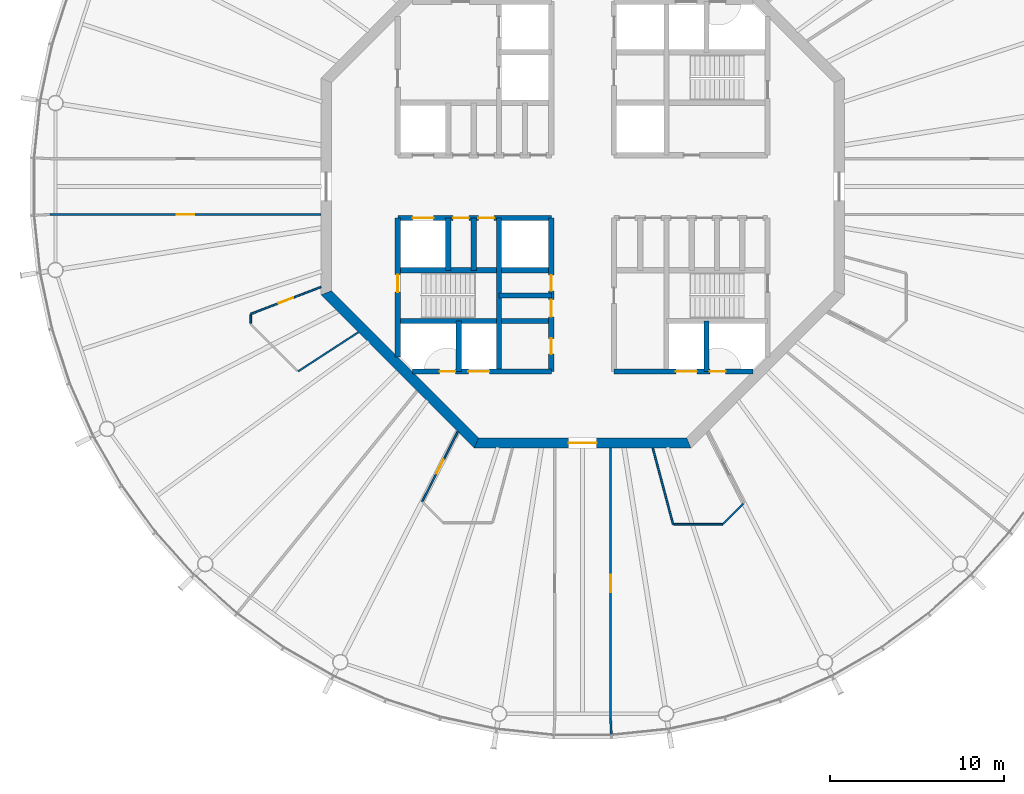
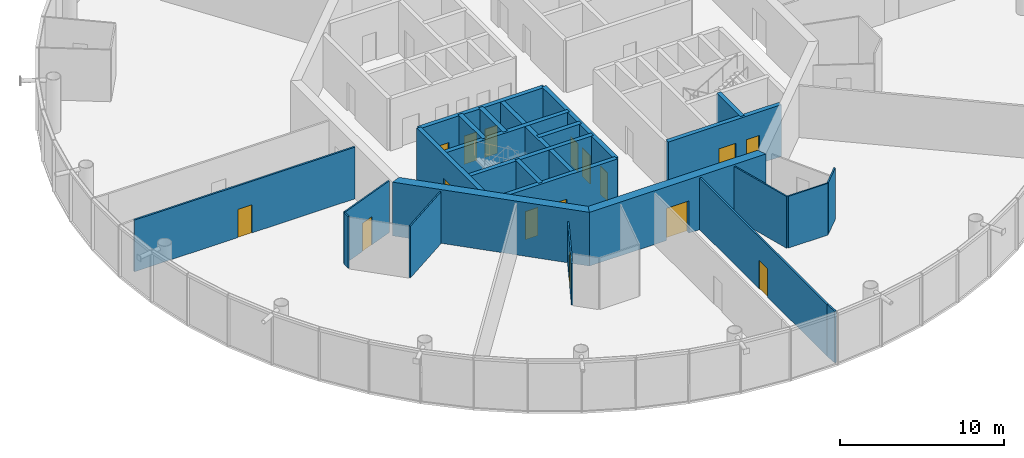
# One storey, part 3 of 19: 25 walls, 16 doors, 16 openings.
"""IFC4 building model written with IfcOpenShell, lengths in metres."""

from ifc_helpers import new_model, si_unit, direction, frame, frame_2d, origin, place, context, subcontext, project, spatial, polyline, rectangle, outline, extrude, material, layer, layer_set, type_object, element, fill, save


model = new_model("IFC4")

# Units and contexts
model_context = context("Model", 3, precision=1e-05, world=origin(), true_north=direction((0.0, 1.0)))
body_context = subcontext(model_context, "Body", "Model", "MODEL_VIEW")
ifc_project = project(units=[si_unit("LENGTHUNIT", "METRE"), si_unit("AREAUNIT", "SQUARE_METRE"), si_unit("VOLUMEUNIT", "CUBIC_METRE"), si_unit("PLANEANGLEUNIT", "RADIAN"), si_unit("MASSUNIT", "GRAM", prefix="KILO")], contexts=[model_context])

# Site, building, storey
site_placement = place(None, origin())
site = spatial("IfcSite", under=ifc_project, at=site_placement, CompositionType="ELEMENT")
building_placement = place(site_placement, origin())
building = spatial("IfcBuilding", under=site, at=building_placement, Name="Entoto Ring Tower", CompositionType="ELEMENT")
storey_placement = place(building_placement, frame((0.0, 0.0, 368.0)))
storey = spatial("IfcBuildingStorey", under=building, at=storey_placement, Name="L85", CompositionType="ELEMENT", Elevation=368.0)

# Wall
ifc_material_1 = material(Name="Concrete C40/50", Category="concrete")
ifc_layer_1 = layer(ifc_material_1, 0.300048828125)
ifc_layer_set_1 = layer_set([ifc_layer_1], Name="Concrete C40/50")
wall_type_1 = type_object("IfcWallType", Name="Core enclosure wall 300 mm reinforced concrete", PredefinedType="SOLIDWALL", material=ifc_layer_set_1)
wall_1_placement = place(storey_placement, frame((97.10009765625, 69.39990234375, 0.0), z_axis=(0.0, 0.0, 1.0), x_axis=(0.0, 1.0, 0.0)))
element("IfcWall", 1, at=wall_1_placement, inside=storey, type_object=wall_type_1, Name="wall-L85-005", PredefinedType="SOLIDWALL", context=body_context, shape_type="SweptSolid", body=[
    extrude(rectangle(XDim=2.900146484375, YDim=0.300048828125, at=frame_2d((1.4501953125, 0.0))), origin(), (0.0, 0.0, 1.0), 3.85009765625),
])

# Wall, openings, doors
wall_2_placement = place(storey_placement, frame((88.199951171875, 69.39990234375, 0.0), z_axis=(0.0, 0.0, 1.0), x_axis=(0.0, 1.0, 0.0)))
wall_2 = element("IfcWall", 2, at=wall_2_placement, inside=storey, type_object=wall_type_1, Name="wall-L85-013", PredefinedType="SOLIDWALL", context=body_context, shape_type="SweptSolid", body=[
    extrude(rectangle(XDim=8.800048828125, YDim=0.300048828125, at=frame_2d((4.39990234375, 0.0))), origin(), (0.0, 0.0, 1.0), 3.85009765625),
])
opening_1_placement = place(wall_2_placement, frame((3.125, 0.0, 0.0)))
opening_1 = element("IfcOpeningElement", 3, at=opening_1_placement, cuts=wall_2, Name="Opening K-70", PredefinedType="OPENING", context=body_context, shape_type="SweptSolid", body=[
    extrude(rectangle(XDim=1.0, YDim=2.10009765625, at=frame_2d((0.5, 1.050048828125))), frame((0.0, 0.16015625, 0.0), z_axis=(0.0, -1.0, 0.0), x_axis=(1.0, 0.0, 0.0)), (0.0, 0.0, 1.0), 0.320068359375),
])
opening_2_placement = place(wall_2_placement, frame((4.625, 0.0, 0.0)))
opening_2 = element("IfcOpeningElement", 4, at=opening_2_placement, cuts=wall_2, Name="Opening K-71", PredefinedType="OPENING", context=body_context, shape_type="SweptSolid", body=[
    extrude(rectangle(XDim=0.89990234375, YDim=2.10009765625, at=frame_2d((0.449951171875, 1.050048828125))), frame((0.0, 0.16015625, 0.0), z_axis=(0.0, -1.0, 0.0), x_axis=(1.0, 0.0, 0.0)), (0.0, 0.0, 1.0), 0.320068359375),
])
opening_3_placement = place(wall_2_placement, frame((1.0, 0.0, 0.0)))
opening_3 = element("IfcOpeningElement", 5, at=opening_3_placement, cuts=wall_2, Name="Opening K-24", PredefinedType="OPENING", context=body_context, shape_type="SweptSolid", body=[
    extrude(rectangle(XDim=0.89990234375, YDim=2.10009765625, at=frame_2d((0.449951171875, 1.050048828125))), frame((0.0, 0.16015625, 0.0), z_axis=(0.0, -1.0, 0.0), x_axis=(1.0, 0.0, 0.0)), (0.0, 0.0, 1.0), 0.320068359375),
])
ifc_material_2 = material(Name="Steel door leaf, fire rated", Category="steel")
ifc_layer_2 = layer(ifc_material_2, 0.050048828125)
ifc_layer_set_2 = layer_set([ifc_layer_2], Name="Steel door leaf, fire rated")
door_type_1 = type_object("IfcDoorType", Name="Accessible door 1000 x 2100 single leaf", OperationType="NOTDEFINED", PredefinedType="DOOR", material=ifc_layer_set_2)
door_1_placement = place(opening_1_placement, origin())
door_1 = element("IfcDoor", 6, at=door_1_placement, inside=storey, type_object=door_type_1, Name="Door K-70", OperationType="SINGLE_SWING_RIGHT", OverallHeight=2.10009765625, OverallWidth=1.0, PredefinedType="DOOR", context=body_context, shape_type="SweptSolid", body=[
    extrude(rectangle(XDim=1.0, YDim=2.10009765625, at=frame_2d((0.5, 1.050048828125))), frame((0.0, 0.02490234375, 0.0), z_axis=(0.0, -1.0, 0.0), x_axis=(1.0, 0.0, 0.0)), (0.0, 0.0, 1.0), 0.050048828125),
])
fill(opening_1, door_1)
ifc_material_3 = material(Name="Steel door leaf, fire rated", Category="steel")
ifc_layer_3 = layer(ifc_material_3, 0.050048828125)
ifc_layer_set_3 = layer_set([ifc_layer_3], Name="Steel door leaf, fire rated")
door_type_2 = type_object("IfcDoorType", Name="Core door 900 x 2100 single leaf", OperationType="NOTDEFINED", PredefinedType="DOOR", material=ifc_layer_set_3)
door_2_placement = place(opening_2_placement, origin())
door_2 = element("IfcDoor", 7, at=door_2_placement, inside=storey, type_object=door_type_2, Name="Door K-71", OperationType="SINGLE_SWING_RIGHT", OverallHeight=2.10009765625, OverallWidth=0.89990234375, PredefinedType="DOOR", context=body_context, shape_type="SweptSolid", body=[
    extrude(rectangle(XDim=0.89990234375, YDim=2.10009765625, at=frame_2d((0.449951171875, 1.050048828125))), frame((0.0, 0.02490234375, 0.0), z_axis=(0.0, -1.0, 0.0), x_axis=(1.0, 0.0, 0.0)), (0.0, 0.0, 1.0), 0.050048828125),
])
fill(opening_2, door_2)
door_3_placement = place(opening_3_placement, origin())
door_3 = element("IfcDoor", 8, at=door_3_placement, inside=storey, type_object=door_type_2, Name="Door K-24", OperationType="SINGLE_SWING_RIGHT", OverallHeight=2.10009765625, OverallWidth=0.89990234375, PredefinedType="DOOR", context=body_context, shape_type="SweptSolid", body=[
    extrude(rectangle(XDim=0.89990234375, YDim=2.10009765625, at=frame_2d((0.449951171875, 1.050048828125))), frame((0.0, 0.02490234375, 0.0), z_axis=(0.0, -1.0, 0.0), x_axis=(1.0, 0.0, 0.0)), (0.0, 0.0, 1.0), 0.050048828125),
])
fill(opening_3, door_3)

# Walls
wall_3_placement = place(storey_placement, frame((85.199951171875, 69.39990234375, 0.0), z_axis=(0.0, 0.0, 1.0), x_axis=(0.0, 1.0, 0.0)))
element("IfcWall", 9, at=wall_3_placement, inside=storey, type_object=wall_type_1, Name="wall-L85-016", PredefinedType="SOLIDWALL", context=body_context, shape_type="SweptSolid", body=[
    extrude(rectangle(XDim=8.800048828125, YDim=0.300048828125, at=frame_2d((4.39990234375, 0.0))), origin(), (0.0, 0.0, 1.0), 3.85009765625),
])
wall_4_placement = place(storey_placement, frame((83.75, 75.199951171875, 0.0), z_axis=(0.0, 0.0, 1.0), x_axis=(0.0, 1.0, 0.0)))
element("IfcWall", 10, at=wall_4_placement, inside=storey, type_object=wall_type_1, Name="wall-L85-018", PredefinedType="SOLIDWALL", context=body_context, shape_type="SweptSolid", body=[
    extrude(rectangle(XDim=3.0, YDim=0.300048828125, at=frame_2d((1.5, 0.0))), origin(), (0.0, 0.0, 1.0), 3.85009765625),
])
wall_5_placement = place(storey_placement, frame((82.89990234375, 69.39990234375, 0.0), z_axis=(0.0, 0.0, 1.0), x_axis=(0.0, 1.0, 0.0)))
element("IfcWall", 11, at=wall_5_placement, inside=storey, type_object=wall_type_1, Name="wall-L85-020", PredefinedType="SOLIDWALL", context=body_context, shape_type="SweptSolid", body=[
    extrude(rectangle(XDim=2.900146484375, YDim=0.300048828125, at=frame_2d((1.4501953125, 0.0))), origin(), (0.0, 0.0, 1.0), 3.85009765625),
])
wall_6_placement = place(storey_placement, frame((82.300048828125, 75.199951171875, 0.0), z_axis=(0.0, 0.0, 1.0), x_axis=(0.0, 1.0, 0.0)))
element("IfcWall", 12, at=wall_6_placement, inside=storey, type_object=wall_type_1, Name="wall-L85-021", PredefinedType="SOLIDWALL", context=body_context, shape_type="SweptSolid", body=[
    extrude(rectangle(XDim=3.0, YDim=0.300048828125, at=frame_2d((1.5, 0.0))), origin(), (0.0, 0.0, 1.0), 3.85009765625),
])

# Wall, opening, door
wall_7_placement = place(storey_placement, frame((79.39990234375, 70.2353515625, 0.0), z_axis=(0.0, 0.0, 1.0), x_axis=(0.0, 1.0, 0.0)))
wall_7 = element("IfcWall", 13, at=wall_7_placement, inside=storey, type_object=wall_type_1, Name="wall-L85-023", PredefinedType="SOLIDWALL", context=body_context, shape_type="SweptSolid", body=[
    extrude(rectangle(XDim=7.964599609375, YDim=0.300048828125, at=frame_2d((3.982421875, 0.0))), origin(), (0.0, 0.0, 1.0), 3.85009765625),
])
opening_4_placement = place(wall_7_placement, frame((3.714599609375, 0.0, 0.0)))
opening_4 = element("IfcOpeningElement", 14, at=opening_4_placement, cuts=wall_7, Name="Opening K-30", PredefinedType="OPENING", context=body_context, shape_type="SweptSolid", body=[
    extrude(rectangle(XDim=1.0, YDim=2.10009765625, at=frame_2d((0.5, 1.050048828125))), frame((0.0, 0.16015625, 0.0), z_axis=(0.0, -1.0, 0.0), x_axis=(1.0, 0.0, 0.0)), (0.0, 0.0, 1.0), 0.320068359375),
])
ifc_material_4 = material(Name="Steel door leaf, fire rated", Category="steel")
ifc_layer_4 = layer(ifc_material_4, 0.050048828125)
ifc_layer_set_4 = layer_set([ifc_layer_4], Name="Steel door leaf, fire rated")
door_type_3 = type_object("IfcDoorType", Name="Fire door FD60 1000 x 2100 single leaf", OperationType="NOTDEFINED", PredefinedType="DOOR", material=ifc_layer_set_4)
door_4_placement = place(opening_4_placement, frame((1.0, 0.0, 0.0), z_axis=(0.0, 0.0, 1.0), x_axis=(-1.0, 0.0, 0.0)))
door_4 = element("IfcDoor", 15, at=door_4_placement, inside=storey, type_object=door_type_3, Name="Door K-30", OperationType="SINGLE_SWING_LEFT", OverallHeight=2.10009765625, OverallWidth=1.0, PredefinedType="DOOR", context=body_context, shape_type="SweptSolid", body=[
    extrude(rectangle(XDim=1.0, YDim=2.10009765625, at=frame_2d((0.5, 1.050048828125))), frame((0.0, 0.02490234375, 0.0), z_axis=(0.0, -1.0, 0.0), x_axis=(1.0, 0.0, 0.0)), (0.0, 0.0, 1.0), 0.050048828125),
])
fill(opening_4, door_4)

# Wall, openings, doors
wall_8_placement = place(storey_placement, frame((80.2353515625, 69.39990234375, 0.0), z_axis=(0.0, 0.0, 1.0), x_axis=(1.0, 0.0, 0.0)))
wall_8 = element("IfcWall", 16, at=wall_8_placement, inside=storey, type_object=wall_type_1, Name="wall-L85-025", PredefinedType="SOLIDWALL", context=body_context, shape_type="SweptSolid", body=[
    extrude(rectangle(XDim=7.964599609375, YDim=0.300048828125, at=frame_2d((3.982421875, 0.0))), origin(), (0.0, 0.0, 1.0), 3.85009765625),
])
opening_5_placement = place(wall_8_placement, frame((3.214599609375, 0.0, 0.0)))
opening_5 = element("IfcOpeningElement", 17, at=opening_5_placement, cuts=wall_8, Name="Opening LD", PredefinedType="OPENING", context=body_context, shape_type="SweptSolid", body=[
    extrude(rectangle(XDim=1.199951171875, YDim=2.10009765625, at=frame_2d((0.60009765625, 1.050048828125))), frame((0.0, 0.16015625, 0.0), z_axis=(0.0, -1.0, 0.0), x_axis=(1.0, 0.0, 0.0)), (0.0, 0.0, 1.0), 0.320068359375),
])
opening_6_placement = place(wall_8_placement, frame((1.564697265625, 0.0, 0.0)))
opening_6 = element("IfcOpeningElement", 18, at=opening_6_placement, cuts=wall_8, Name="Opening K-33", PredefinedType="OPENING", context=body_context, shape_type="SweptSolid", body=[
    extrude(rectangle(XDim=0.89990234375, YDim=2.10009765625, at=frame_2d((0.449951171875, 1.050048828125))), frame((0.0, 0.16015625, 0.0), z_axis=(0.0, -1.0, 0.0), x_axis=(1.0, 0.0, 0.0)), (0.0, 0.0, 1.0), 0.320068359375),
])
ifc_material_5 = material(Name="Steel and glass door leaf", Category="steel")
ifc_layer_5 = layer(ifc_material_5, 0.050048828125)
ifc_layer_set_5 = layer_set([ifc_layer_5], Name="Steel and glass door leaf")
door_type_4 = type_object("IfcDoorType", Name="Landing door 1200 x 2100 sliding", OperationType="DOUBLE_DOOR_SLIDING", PredefinedType="DOOR", material=ifc_layer_set_5)
door_5_placement = place(opening_5_placement, origin())
door_5 = element("IfcDoor", 19, at=door_5_placement, inside=storey, type_object=door_type_4, Name="Landing door LB3-HR", OperationType="SLIDING_TO_RIGHT", OverallHeight=2.10009765625, OverallWidth=1.199951171875, PredefinedType="DOOR", context=body_context, shape_type="SweptSolid", body=[
    extrude(rectangle(XDim=1.199951171875, YDim=2.10009765625, at=frame_2d((0.60009765625, 1.050048828125))), frame((0.0, 0.02490234375, 0.0), z_axis=(0.0, -1.0, 0.0), x_axis=(1.0, 0.0, 0.0)), (0.0, 0.0, 1.0), 0.050048828125),
])
fill(opening_5, door_5)
ifc_material_6 = material(Name="Steel door leaf, fire rated", Category="steel")
ifc_layer_6 = layer(ifc_material_6, 0.050048828125)
ifc_layer_set_6 = layer_set([ifc_layer_6], Name="Steel door leaf, fire rated")
door_type_5 = type_object("IfcDoorType", Name="Riser door FD60 900 x 2100 single leaf", OperationType="NOTDEFINED", PredefinedType="DOOR", material=ifc_layer_set_6)
door_6_placement = place(opening_6_placement, origin())
door_6 = element("IfcDoor", 20, at=door_6_placement, inside=storey, type_object=door_type_5, Name="Door K-33", OperationType="SINGLE_SWING_RIGHT", OverallHeight=2.10009765625, OverallWidth=0.89990234375, PredefinedType="DOOR", context=body_context, shape_type="SweptSolid", body=[
    extrude(rectangle(XDim=0.89990234375, YDim=2.10009765625, at=frame_2d((0.449951171875, 1.050048828125))), frame((0.0, 0.02490234375, 0.0), z_axis=(0.0, -1.0, 0.0), x_axis=(1.0, 0.0, 0.0)), (0.0, 0.0, 1.0), 0.050048828125),
])
fill(opening_6, door_6)

wall_9_placement = place(storey_placement, frame((91.800048828125, 69.39990234375, 0.0), z_axis=(0.0, 0.0, 1.0), x_axis=(1.0, 0.0, 0.0)))
wall_9 = element("IfcWall", 21, at=wall_9_placement, inside=storey, type_object=wall_type_1, Name="wall-L85-026", PredefinedType="SOLIDWALL", context=body_context, shape_type="SweptSolid", body=[
    extrude(rectangle(XDim=7.964599609375, YDim=0.300048828125, at=frame_2d((3.982421875, 0.0))), origin(), (0.0, 0.0, 1.0), 3.85009765625),
])
opening_7_placement = place(wall_9_placement, frame((3.550048828125, 0.0, 0.0)))
opening_7 = element("IfcOpeningElement", 22, at=opening_7_placement, cuts=wall_9, Name="Opening LD", PredefinedType="OPENING", context=body_context, shape_type="SweptSolid", body=[
    extrude(rectangle(XDim=1.199951171875, YDim=2.10009765625, at=frame_2d((0.60009765625, 1.050048828125))), frame((0.0, 0.16015625, 0.0), z_axis=(0.0, -1.0, 0.0), x_axis=(1.0, 0.0, 0.0)), (0.0, 0.0, 1.0), 0.320068359375),
])
opening_8_placement = place(wall_9_placement, frame((5.5, 0.0, 0.0)))
opening_8 = element("IfcOpeningElement", 23, at=opening_8_placement, cuts=wall_9, Name="Opening K-34", PredefinedType="OPENING", context=body_context, shape_type="SweptSolid", body=[
    extrude(rectangle(XDim=0.89990234375, YDim=2.10009765625, at=frame_2d((0.449951171875, 1.050048828125))), frame((0.0, 0.16015625, 0.0), z_axis=(0.0, -1.0, 0.0), x_axis=(1.0, 0.0, 0.0)), (0.0, 0.0, 1.0), 0.320068359375),
])
door_7_placement = place(opening_7_placement, origin())
door_7 = element("IfcDoor", 24, at=door_7_placement, inside=storey, type_object=door_type_4, Name="Landing door LB2-HR", OperationType="SLIDING_TO_RIGHT", OverallHeight=2.10009765625, OverallWidth=1.199951171875, PredefinedType="DOOR", context=body_context, shape_type="SweptSolid", body=[
    extrude(rectangle(XDim=1.199951171875, YDim=2.10009765625, at=frame_2d((0.60009765625, 1.050048828125))), frame((0.0, 0.02490234375, 0.0), z_axis=(0.0, -1.0, 0.0), x_axis=(1.0, 0.0, 0.0)), (0.0, 0.0, 1.0), 0.050048828125),
])
fill(opening_7, door_7)
door_8_placement = place(opening_8_placement, origin())
door_8 = element("IfcDoor", 25, at=door_8_placement, inside=storey, type_object=door_type_5, Name="Door K-34", OperationType="SINGLE_SWING_LEFT", OverallHeight=2.10009765625, OverallWidth=0.89990234375, PredefinedType="DOOR", context=body_context, shape_type="SweptSolid", body=[
    extrude(rectangle(XDim=0.89990234375, YDim=2.10009765625, at=frame_2d((0.449951171875, 1.050048828125))), frame((0.0, 0.02490234375, 0.0), z_axis=(0.0, -1.0, 0.0), x_axis=(1.0, 0.0, 0.0)), (0.0, 0.0, 1.0), 0.050048828125),
])
fill(opening_8, door_8)

# Walls
wall_10_placement = place(storey_placement, frame((79.39990234375, 72.300048828125, 0.0), z_axis=(0.0, 0.0, 1.0), x_axis=(1.0, 0.0, 0.0)))
element("IfcWall", 26, at=wall_10_placement, inside=storey, type_object=wall_type_1, Name="wall-L85-027", PredefinedType="SOLIDWALL", context=body_context, shape_type="SweptSolid", body=[
    extrude(rectangle(XDim=8.800048828125, YDim=0.300048828125, at=frame_2d((4.39990234375, 0.0))), origin(), (0.0, 0.0, 1.0), 3.85009765625),
])
wall_11_placement = place(storey_placement, frame((85.199951171875, 73.75, 0.0), z_axis=(0.0, 0.0, 1.0), x_axis=(1.0, 0.0, 0.0)))
element("IfcWall", 27, at=wall_11_placement, inside=storey, type_object=wall_type_1, Name="wall-L85-029", PredefinedType="SOLIDWALL", context=body_context, shape_type="SweptSolid", body=[
    extrude(rectangle(XDim=3.0, YDim=0.300048828125, at=frame_2d((1.5, 0.0))), origin(), (0.0, 0.0, 1.0), 3.85009765625),
])
wall_12_placement = place(storey_placement, frame((79.39990234375, 75.199951171875, 0.0), z_axis=(0.0, 0.0, 1.0), x_axis=(1.0, 0.0, 0.0)))
element("IfcWall", 28, at=wall_12_placement, inside=storey, type_object=wall_type_1, Name="wall-L85-030", PredefinedType="SOLIDWALL", context=body_context, shape_type="SweptSolid", body=[
    extrude(rectangle(XDim=8.800048828125, YDim=0.300048828125, at=frame_2d((4.39990234375, 0.0))), origin(), (0.0, 0.0, 1.0), 3.85009765625),
])

# Wall, openings, doors
wall_13_placement = place(storey_placement, frame((79.39990234375, 78.199951171875, 0.0), z_axis=(0.0, 0.0, 1.0), x_axis=(1.0, 0.0, 0.0)))
wall_13 = element("IfcWall", 29, at=wall_13_placement, inside=storey, type_object=wall_type_1, Name="wall-L85-032", PredefinedType="SOLIDWALL", context=body_context, shape_type="SweptSolid", body=[
    extrude(rectangle(XDim=8.800048828125, YDim=0.300048828125, at=frame_2d((4.39990234375, 0.0))), origin(), (0.0, 0.0, 1.0), 3.85009765625),
])
opening_9_placement = place(wall_13_placement, frame((0.85009765625, 0.0, 0.0)))
opening_9 = element("IfcOpeningElement", 30, at=opening_9_placement, cuts=wall_13, Name="Opening LD", PredefinedType="OPENING", context=body_context, shape_type="SweptSolid", body=[
    extrude(rectangle(XDim=1.199951171875, YDim=2.10009765625, at=frame_2d((0.60009765625, 1.050048828125))), frame((0.0, 0.16015625, 0.0), z_axis=(0.0, -1.0, 0.0), x_axis=(1.0, 0.0, 0.0)), (0.0, 0.0, 1.0), 0.320068359375),
])
opening_10_placement = place(wall_13_placement, frame((3.175048828125, 0.0, 0.0)))
opening_10 = element("IfcOpeningElement", 31, at=opening_10_placement, cuts=wall_13, Name="Opening K-18", PredefinedType="OPENING", context=body_context, shape_type="SweptSolid", body=[
    extrude(rectangle(XDim=0.89990234375, YDim=2.10009765625, at=frame_2d((0.449951171875, 1.050048828125))), frame((0.0, 0.16015625, 0.0), z_axis=(0.0, -1.0, 0.0), x_axis=(1.0, 0.0, 0.0)), (0.0, 0.0, 1.0), 0.320068359375),
])
opening_11_placement = place(wall_13_placement, frame((4.625, 0.0, 0.0)))
opening_11 = element("IfcOpeningElement", 32, at=opening_11_placement, cuts=wall_13, Name="Opening K-19", PredefinedType="OPENING", context=body_context, shape_type="SweptSolid", body=[
    extrude(rectangle(XDim=0.89990234375, YDim=2.10009765625, at=frame_2d((0.449951171875, 1.050048828125))), frame((0.0, 0.16015625, 0.0), z_axis=(0.0, -1.0, 0.0), x_axis=(1.0, 0.0, 0.0)), (0.0, 0.0, 1.0), 0.320068359375),
])
door_9_placement = place(opening_10_placement, frame((0.89990234375, 0.0, 0.0), z_axis=(0.0, 0.0, 1.0), x_axis=(-1.0, 0.0, 0.0)))
door_9 = element("IfcDoor", 33, at=door_9_placement, inside=storey, type_object=door_type_2, Name="Door K-18", OperationType="SINGLE_SWING_LEFT", OverallHeight=2.10009765625, OverallWidth=0.89990234375, PredefinedType="DOOR", context=body_context, shape_type="SweptSolid", body=[
    extrude(rectangle(XDim=0.89990234375, YDim=2.10009765625, at=frame_2d((0.449951171875, 1.050048828125))), frame((0.0, 0.02490234375, 0.0), z_axis=(0.0, -1.0, 0.0), x_axis=(1.0, 0.0, 0.0)), (0.0, 0.0, 1.0), 0.050048828125),
])
fill(opening_10, door_9)
door_10_placement = place(opening_11_placement, frame((0.89990234375, 0.0, 0.0), z_axis=(0.0, 0.0, 1.0), x_axis=(-1.0, 0.0, 0.0)))
door_10 = element("IfcDoor", 34, at=door_10_placement, inside=storey, type_object=door_type_2, Name="Door K-19", OperationType="SINGLE_SWING_LEFT", OverallHeight=2.10009765625, OverallWidth=0.89990234375, PredefinedType="DOOR", context=body_context, shape_type="SweptSolid", body=[
    extrude(rectangle(XDim=0.89990234375, YDim=2.10009765625, at=frame_2d((0.449951171875, 1.050048828125))), frame((0.0, 0.02490234375, 0.0), z_axis=(0.0, -1.0, 0.0), x_axis=(1.0, 0.0, 0.0)), (0.0, 0.0, 1.0), 0.050048828125),
])
fill(opening_11, door_10)
door_11_placement = place(opening_9_placement, origin())
door_11 = element("IfcDoor", 35, at=door_11_placement, inside=storey, type_object=door_type_4, Name="Landing door SH2", OperationType="SLIDING_TO_RIGHT", OverallHeight=2.10009765625, OverallWidth=1.199951171875, PredefinedType="DOOR", context=body_context, shape_type="SweptSolid", body=[
    extrude(rectangle(XDim=1.199951171875, YDim=2.10009765625, at=frame_2d((0.60009765625, 1.050048828125))), frame((0.0, 0.02490234375, 0.0), z_axis=(0.0, -1.0, 0.0), x_axis=(1.0, 0.0, 0.0)), (0.0, 0.0, 1.0), 0.050048828125),
])
fill(opening_9, door_11)

# Wall
ifc_material_7 = material(Name="Concrete C40/50", Category="concrete")
ifc_layer_7 = layer(ifc_material_7, 0.60009765625)
ifc_layer_set_7 = layer_set([ifc_layer_7], Name="Concrete C40/50")
wall_type_2 = type_object("IfcWallType", Name="Core shear wall 600 mm reinforced concrete C40/50", PredefinedType="SHEAR", material=ifc_layer_set_7)
wall_14_placement = place(storey_placement, frame((75.300048828125, 73.9111328125, 0.0), z_axis=(0.0, 0.0, 1.0), x_axis=(0.707106781187, -0.707106781187, 0.0)))
element("IfcWall", 36, at=wall_14_placement, inside=storey, type_object=wall_type_2, Name="wall-L85-core-5", PredefinedType="SHEAR", context=body_context, shape_type="SweptSolid", body=[
    extrude(outline(polyline([(-0.124267578125, -0.300048828125), (12.30224609375, -0.300048828125), (12.0537109375, 0.300048828125), (0.124267578125, 0.300048828125), (-0.124267578125, -0.300048828125)])), origin(), (0.0, 0.0, 1.0), 4.0),
])

# Wall, opening, door
wall_15_placement = place(storey_placement, frame((83.9111328125, 65.300048828125, 0.0), z_axis=(0.0, 0.0, 1.0), x_axis=(1.0, 0.0, 0.0)))
wall_15 = element("IfcWall", 37, at=wall_15_placement, inside=storey, type_object=wall_type_2, Name="wall-L85-core-6", PredefinedType="SHEAR", context=body_context, shape_type="SweptSolid", body=[
    extrude(outline(polyline([(-0.124267578125, -0.300048828125), (12.302001953125, -0.300048828125), (12.053466796875, 0.300048828125), (0.124267578125, 0.300048828125), (-0.124267578125, -0.300048828125)])), origin(), (0.0, 0.0, 1.0), 4.0),
])
opening_12_placement = place(wall_15_placement, frame((5.288818359375, 0.0, 0.0)))
opening_12 = element("IfcOpeningElement", 38, at=opening_12_placement, cuts=wall_15, Name="Opening K-04", PredefinedType="OPENING", context=body_context, shape_type="SweptSolid", body=[
    extrude(rectangle(XDim=1.60009765625, YDim=2.39990234375, at=frame_2d((0.800048828125, 1.199951171875))), frame((0.0, 0.31005859375, 0.0), z_axis=(0.0, -1.0, 0.0), x_axis=(1.0, 0.0, 0.0)), (0.0, 0.0, 1.0), 0.6201171875),
])
ifc_material_8 = material(Name="Steel door leaf, fire rated", Category="steel")
ifc_layer_8 = layer(ifc_material_8, 0.050048828125)
ifc_layer_set_8 = layer_set([ifc_layer_8], Name="Steel door leaf, fire rated")
door_type_6 = type_object("IfcDoorType", Name="Entrance door FD60 1600 x 2400 double leaf", OperationType="DOUBLE_DOOR_SINGLE_SWING", PredefinedType="DOOR", material=ifc_layer_set_8)
door_12_placement = place(opening_12_placement, origin())
door_12 = element("IfcDoor", 39, at=door_12_placement, inside=storey, type_object=door_type_6, Name="Entrance door K-04", OperationType="DOUBLE_DOOR_SINGLE_SWING", OverallHeight=2.39990234375, OverallWidth=1.60009765625, PredefinedType="DOOR", context=body_context, shape_type="SweptSolid", body=[
    extrude(rectangle(XDim=1.60009765625, YDim=2.39990234375, at=frame_2d((0.800048828125, 1.199951171875))), frame((0.0, 0.02490234375, 0.0), z_axis=(0.0, -1.0, 0.0), x_axis=(1.0, 0.0, 0.0)), (0.0, 0.0, 1.0), 0.050048828125),
])
fill(opening_12, door_12)

ifc_material_9 = material(Name="Fire-resisting plasterboard on steel studs", Category="steel")
ifc_layer_9 = layer(ifc_material_9, 0.125)
ifc_layer_set_9 = layer_set([ifc_layer_9], Name="Fire-resisting plasterboard on steel studs")
wall_type_3 = type_object("IfcWallType", Name="Corridor wall 125 mm one-hour plasterboard on steel studs", PredefinedType="PARTITIONING", material=ifc_layer_set_9)
wall_16_placement = place(storey_placement, frame((59.47021484375, 78.39990234375, 0.0), z_axis=(0.0, 0.0, 1.0), x_axis=(1.0, 0.0, 0.0)))
wall_16 = element("IfcWall", 40, at=wall_16_placement, inside=storey, type_object=wall_type_3, Name="partition-L85-001", PredefinedType="PARTITIONING", context=body_context, shape_type="SweptSolid", body=[
    extrude(rectangle(XDim=15.52978515625, YDim=0.125, at=frame_2d((7.764892578125, 0.0))), origin(), (0.0, 0.0, 1.0), 3.85009765625),
])
opening_13_placement = place(wall_16_placement, frame((7.264892578125, 0.0, 0.0)))
opening_13 = element("IfcOpeningElement", 41, at=opening_13_placement, cuts=wall_16, Name="Opening A36-D07", PredefinedType="OPENING", context=body_context, shape_type="SweptSolid", body=[
    extrude(rectangle(XDim=1.0, YDim=2.10009765625, at=frame_2d((0.5, 1.050048828125))), frame((0.0, 0.072509765625, 0.0), z_axis=(0.0, -1.0, 0.0), x_axis=(1.0, 0.0, 0.0)), (0.0, 0.0, 1.0), 0.14501953125),
])
ifc_material_10 = material(Name="Fire-resisting timber door set", Category="wood")
door_type_7 = type_object("IfcDoorType", Name="Door 1000 x 2100 single leaf FD30S fire door", OperationType="NOTDEFINED", PredefinedType="DOOR", material=ifc_material_10)
door_13_placement = place(opening_13_placement, frame((1.0, 0.0, 0.0), z_axis=(0.0, 0.0, 1.0), x_axis=(-1.0, 0.0, 0.0)))
door_13 = element("IfcDoor", 42, at=door_13_placement, inside=storey, type_object=door_type_7, Name="Door A36-D07", OperationType="SINGLE_SWING_LEFT", OverallHeight=2.10009765625, OverallWidth=1.0, PredefinedType="DOOR", context=body_context, shape_type="SweptSolid", body=[
    extrude(rectangle(XDim=1.0, YDim=2.10009765625, at=frame_2d((0.5, 1.050048828125))), frame((0.0, 0.02490234375, 0.0), z_axis=(0.0, -1.0, 0.0), x_axis=(1.0, 0.0, 0.0)), (0.0, 0.0, 1.0), 0.050048828125),
])
fill(opening_13, door_13)

wall_17_placement = place(storey_placement, frame((91.60009765625, 49.47021484375, 0.0), z_axis=(0.0, 0.0, 1.0), x_axis=(0.0, 1.0, 0.0)))
wall_17 = element("IfcWall", 43, at=wall_17_placement, inside=storey, type_object=wall_type_3, Name="partition-L85-005", PredefinedType="PARTITIONING", context=body_context, shape_type="SweptSolid", body=[
    extrude(rectangle(XDim=15.52978515625, YDim=0.125, at=frame_2d((7.764892578125, 0.0))), origin(), (0.0, 0.0, 1.0), 3.85009765625),
])
opening_14_placement = place(wall_17_placement, frame((7.264892578125, 0.0, 0.0)))
opening_14 = element("IfcOpeningElement", 44, at=opening_14_placement, cuts=wall_17, Name="Opening A36-D11", PredefinedType="OPENING", context=body_context, shape_type="SweptSolid", body=[
    extrude(rectangle(XDim=1.0, YDim=2.10009765625, at=frame_2d((0.5, 1.050048828125))), frame((0.0, 0.072509765625, 0.0), z_axis=(0.0, -1.0, 0.0), x_axis=(1.0, 0.0, 0.0)), (0.0, 0.0, 1.0), 0.14501953125),
])
door_14_placement = place(opening_14_placement, frame((1.0, 0.0, 0.0), z_axis=(0.0, 0.0, 1.0), x_axis=(-1.0, 0.0, 0.0)))
door_14 = element("IfcDoor", 45, at=door_14_placement, inside=storey, type_object=door_type_7, Name="Door A36-D11", OperationType="SINGLE_SWING_LEFT", OverallHeight=2.10009765625, OverallWidth=1.0, PredefinedType="DOOR", context=body_context, shape_type="SweptSolid", body=[
    extrude(rectangle(XDim=1.0, YDim=2.10009765625, at=frame_2d((0.5, 1.050048828125))), frame((0.0, 0.02490234375, 0.0), z_axis=(0.0, -1.0, 0.0), x_axis=(1.0, 0.0, 0.0)), (0.0, 0.0, 1.0), 0.050048828125),
])
fill(opening_14, door_14)

# Walls
wall_18_placement = place(storey_placement, frame((91.6455078125, 48.60302734375, 0.0), z_axis=(0.0, 0.0, 1.0), x_axis=(-0.052499574911, 0.998620946423, 0.0)))
element("IfcWall", 46, at=wall_18_placement, inside=storey, type_object=wall_type_3, Name="partition-L85-014", PredefinedType="PARTITIONING", context=body_context, shape_type="SweptSolid", body=[
    extrude(rectangle(XDim=0.864990234375, YDim=0.125, at=frame_2d((0.4326171875, 0.0))), origin(), (0.0, 0.0, 1.0), 3.85009765625),
])
ifc_material_11 = material(Name="Plasterboard on steel studs", Category="steel")
ifc_layer_10 = layer(ifc_material_11, 0.10009765625)
ifc_layer_set_10 = layer_set([ifc_layer_10], Name="Plasterboard on steel studs")
wall_type_4 = type_object("IfcWallType", Name="Partition 100 mm plasterboard on steel studs", PredefinedType="PARTITIONING", material=ifc_layer_set_10)
wall_19_placement = place(storey_placement, frame((95.1875, 60.639892578125, 0.0), z_axis=(0.0, 0.0, 1.0), x_axis=(-0.25880367254, 0.965929945224, 0.0)))
element("IfcWall", 47, at=wall_19_placement, inside=storey, type_object=wall_type_4, Name="partition-L85-023", PredefinedType="PARTITIONING", context=body_context, shape_type="SweptSolid", body=[
    extrude(rectangle(XDim=4.513916015625, YDim=0.10009765625, at=frame_2d((2.2568359375, 0.0))), origin(), (0.0, 0.0, 1.0), 3.85009765625),
])

# Wall, opening, door
wall_20_placement = place(storey_placement, frame((70.969970703125, 72.695068359375, 0.0), z_axis=(0.0, 0.0, 1.0), x_axis=(0.933588820565, 0.358346081486, 0.0)))
wall_20 = element("IfcWall", 48, at=wall_20_placement, inside=storey, type_object=wall_type_4, Name="partition-L85-028", PredefinedType="PARTITIONING", context=body_context, shape_type="SweptSolid", body=[
    extrude(rectangle(XDim=4.316650390625, YDim=0.10009765625, at=frame_2d((2.158203125, 0.0))), origin(), (0.0, 0.0, 1.0), 3.85009765625),
])
opening_15_placement = place(wall_20_placement, frame((1.70849609375, 0.0, 0.0)))
opening_15 = element("IfcOpeningElement", 49, at=opening_15_placement, cuts=wall_20, Name="Opening A36-D08", PredefinedType="OPENING", context=body_context, shape_type="SweptSolid", body=[
    extrude(rectangle(XDim=0.89990234375, YDim=2.10009765625, at=frame_2d((0.449951171875, 1.050048828125))), frame((0.0, 0.06005859375, 0.0), z_axis=(0.0, -1.0, 0.0), x_axis=(1.0, 0.0, 0.0)), (0.0, 0.0, 1.0), 0.1201171875),
])
ifc_material_12 = material(Name="Veneered timber door leaf in timber frame", Category="wood")
door_type_8 = type_object("IfcDoorType", Name="Door 900 x 2100 single leaf timber veneer", OperationType="NOTDEFINED", PredefinedType="DOOR", material=ifc_material_12)
door_15_placement = place(opening_15_placement, frame((0.89990234375, 0.0, 0.0), z_axis=(0.0, 0.0, 1.0), x_axis=(-1.0, 0.0, 0.0)))
door_15 = element("IfcDoor", 50, at=door_15_placement, inside=storey, type_object=door_type_8, Name="Door A36-D08", OperationType="SINGLE_SWING_LEFT", OverallHeight=2.10009765625, OverallWidth=0.89990234375, PredefinedType="DOOR", context=body_context, shape_type="SweptSolid", body=[
    extrude(rectangle(XDim=0.89990234375, YDim=2.10009765625, at=frame_2d((0.449951171875, 1.050048828125))), frame((0.0, 0.02490234375, 0.0), z_axis=(0.0, -1.0, 0.0), x_axis=(1.0, 0.0, 0.0)), (0.0, 0.0, 1.0), 0.050048828125),
])
fill(opening_15, door_15)

# Walls
wall_21_placement = place(storey_placement, frame((73.68359375, 69.404052734375, 0.0), z_axis=(0.0, 0.0, 1.0), x_axis=(0.838672345353, 0.544636298038, 0.0)))
element("IfcWall", 51, at=wall_21_placement, inside=storey, type_object=wall_type_4, Name="partition-L85-029", PredefinedType="PARTITIONING", context=body_context, shape_type="SweptSolid", body=[
    extrude(rectangle(XDim=4.119873046875, YDim=0.10009765625, at=frame_2d((2.06005859375, 0.0))), origin(), (0.0, 0.0, 1.0), 3.85009765625),
])
wall_22_placement = place(storey_placement, frame((95.235595703125, 60.639892578125, 0.0), z_axis=(0.0, 0.0, 1.0), x_axis=(1.0, 0.0, 0.0)))
element("IfcWall", 52, at=wall_22_placement, inside=storey, type_object=wall_type_4, Name="partition-L85-036", PredefinedType="PARTITIONING", context=body_context, shape_type="SweptSolid", body=[
    extrude(rectangle(XDim=2.78369140625, YDim=0.10009765625, at=frame_2d((1.391845703125, 0.0))), origin(), (0.0, 0.0, 1.0), 3.85009765625),
])
wall_23_placement = place(storey_placement, frame((98.0439453125, 60.664794921875, 0.0), z_axis=(0.0, 0.0, 1.0), x_axis=(0.707106781187, 0.707106781187, 0.0)))
element("IfcWall", 53, at=wall_23_placement, inside=storey, type_object=wall_type_4, Name="partition-L85-039", PredefinedType="PARTITIONING", context=body_context, shape_type="SweptSolid", body=[
    extrude(rectangle(XDim=1.646240234375, YDim=0.10009765625, at=frame_2d((0.8232421875, 0.0))), origin(), (0.0, 0.0, 1.0), 3.85009765625),
])
wall_24_placement = place(storey_placement, frame((70.969970703125, 72.152587890625, 0.0), z_axis=(0.0, 0.0, 1.0), x_axis=(0.0, 1.0, 0.0)))
element("IfcWall", 54, at=wall_24_placement, inside=storey, type_object=wall_type_4, Name="partition-L85-042", PredefinedType="PARTITIONING", context=body_context, shape_type="SweptSolid", body=[
    extrude(rectangle(XDim=0.495849609375, YDim=0.10009765625, at=frame_2d((0.248046875, 0.0))), origin(), (0.0, 0.0, 1.0), 3.85009765625),
])

# Wall, opening, door
ifc_material_13 = material(Name="Plasterboard on steel studs", Category="steel")
ifc_layer_11 = layer(ifc_material_13, 0.10009765625)
ifc_layer_set_11 = layer_set([ifc_layer_11], Name="Plasterboard on steel studs")
wall_type_5 = type_object("IfcWallType", Name="Partition 100 mm plasterboard on steel studs, 3097 mm high", PredefinedType="PARTITIONING", material=ifc_layer_set_11)
wall_25_placement = place(storey_placement, frame((80.801513671875, 61.94677734375, 0.0), z_axis=(0.0, 0.0, 1.0), x_axis=(0.453965697672, 0.891019161038, 0.0)))
wall_25 = element("IfcWall", 55, at=wall_25_placement, inside=storey, type_object=wall_type_5, Name="partition-L85-024", PredefinedType="PARTITIONING", context=body_context, shape_type="SweptSolid", body=[
    extrude(rectangle(XDim=4.489501953125, YDim=0.10009765625, at=frame_2d((2.24462890625, 0.0))), origin(), (0.0, 0.0, 1.0), 3.096923828125),
])
opening_16_placement = place(wall_25_placement, frame((1.794921875, 0.0, 0.0)))
opening_16 = element("IfcOpeningElement", 56, at=opening_16_placement, cuts=wall_25, Name="Opening A36-D10", PredefinedType="OPENING", context=body_context, shape_type="SweptSolid", body=[
    extrude(rectangle(XDim=0.89990234375, YDim=2.10009765625, at=frame_2d((0.449951171875, 1.050048828125))), frame((0.0, 0.06005859375, 0.0), z_axis=(0.0, -1.0, 0.0), x_axis=(1.0, 0.0, 0.0)), (0.0, 0.0, 1.0), 0.1201171875),
])
door_16_placement = place(opening_16_placement, frame((0.89990234375, 0.0, 0.0), z_axis=(0.0, 0.0, 1.0), x_axis=(-1.0, 0.0, 0.0)))
door_16 = element("IfcDoor", 57, at=door_16_placement, inside=storey, type_object=door_type_8, Name="Door A36-D10", OperationType="SINGLE_SWING_LEFT", OverallHeight=2.10009765625, OverallWidth=0.89990234375, PredefinedType="DOOR", context=body_context, shape_type="SweptSolid", body=[
    extrude(rectangle(XDim=0.89990234375, YDim=2.10009765625, at=frame_2d((0.449951171875, 1.050048828125))), frame((0.0, 0.02490234375, 0.0), z_axis=(0.0, -1.0, 0.0), x_axis=(1.0, 0.0, 0.0)), (0.0, 0.0, 1.0), 0.050048828125),
])
fill(opening_16, door_16)

save(model, "model.ifc")
